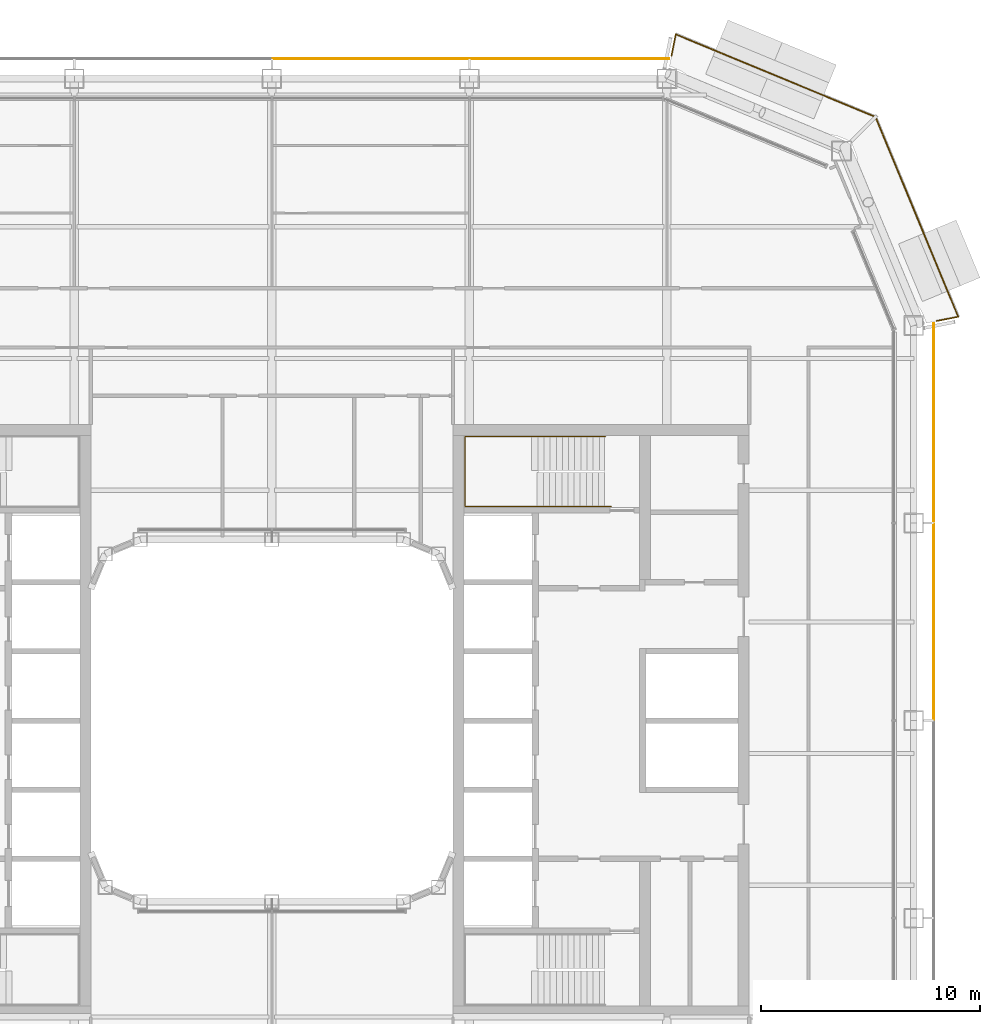
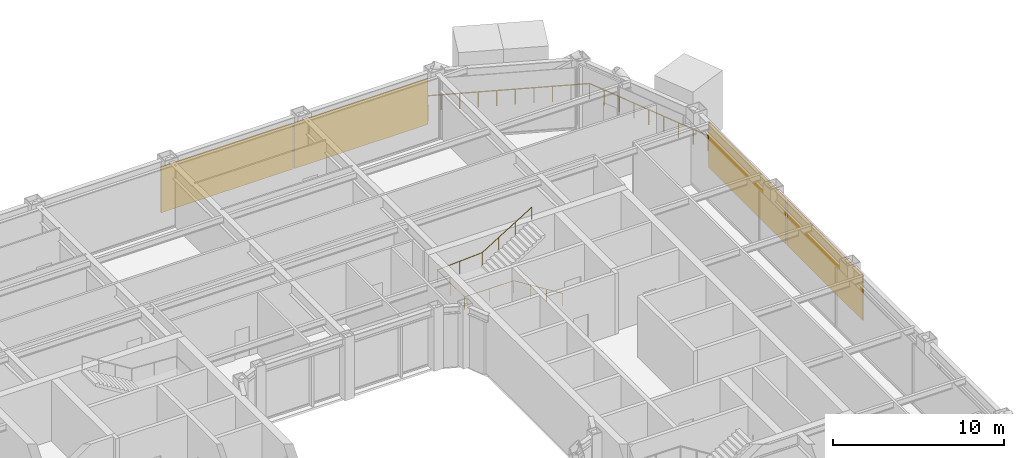
# One storey, part 23 of 24: 4 coverings, 2 railings.
"""IFC4 building model written with IfcOpenShell, lengths in metres."""

import ifcopenshell
import ifcopenshell.guid

model = None  # the IFC model being written
_history = None  # IfcOwnerHistory: only IFC2X3 demands one
_inside = {}  # id of a spatial element -> (the spatial element, [elements in it])
_under = {}  # id of a project, library or spatial element -> (it, [spatial elements below it])
_declared = {}  # id of a project -> (the project, [libraries it declares])
_typed = {}  # id of a type object -> (the type object, [elements of that type])
_made_of = {}  # id of a material, layer set ... -> (it, [elements and type objects made of it])


def new_model(schema):
    """Start an empty IFC model of exactly this schema.

    Asked for "IFC4X3", IfcOpenShell would pick the latest addendum, in which some entities
    have other attributes; the version numbers below select the first issue.
    IFC2X3 requires an IfcOwnerHistory on every rooted entity: one is made here for all.
    """
    global model, _history
    if schema == "IFC4X3":
        model = ifcopenshell.file(schema_version=(4, 3, 0, 0))
    else:
        model = ifcopenshell.file(schema=schema)
    _inside.clear()
    _under.clear()
    _declared.clear()
    _typed.clear()
    _made_of.clear()
    _history = None
    if model.schema == "IFC2X3":
        org = make("IfcOrganization", Name="unknown")
        user = make(
            "IfcPersonAndOrganization",
            ThePerson=make("IfcPerson", FamilyName="unknown"),
            TheOrganization=org,
        )
        app = make(
            "IfcApplication",
            ApplicationDeveloper=org,
            Version="unknown",
            ApplicationFullName="unknown",
            ApplicationIdentifier="unknown",
        )
        _history = make(
            "IfcOwnerHistory",
            OwningUser=user,
            OwningApplication=app,
            ChangeAction="ADDED",
            CreationDate=0,
        )
    return model


def make(cls, **values):
    """One entity of the class cls with the attributes given. An attribute that is None is left unset."""
    return model.create_entity(
        cls, **{name: value for name, value in values.items() if value is not None}
    )


def rooted(cls, **values):
    """An entity with a GlobalId (a new one), such as an element, a storey or a relation."""
    return make(cls, GlobalId=ifcopenshell.guid.new(), OwnerHistory=_history, **values)


def si_unit(unit_type, name, prefix=None):
    """IfcSIUnit, for example si_unit("LENGTHUNIT", "METRE", prefix="MILLI")."""
    return make("IfcSIUnit", UnitType=unit_type, Prefix=prefix, Name=name)


def assignment(units):
    """IfcUnitAssignment: the units of a project."""
    return None if units is None else make("IfcUnitAssignment", Units=units)


def point(xyz):
    """IfcCartesianPoint."""
    return None if xyz is None else make("IfcCartesianPoint", Coordinates=xyz)


def direction(xyz):
    """IfcDirection."""
    return None if xyz is None else make("IfcDirection", DirectionRatios=xyz)


def frame(location, z_axis=None, x_axis=None):
    """IfcAxis2Placement3D, a coordinate frame: its origin and axes. An axis left out is left unset."""
    return make(
        "IfcAxis2Placement3D",
        Location=point(location),
        Axis=direction(z_axis),
        RefDirection=direction(x_axis),
    )


def frame_2d(location, x_axis=None):
    """IfcAxis2Placement2D, a coordinate frame in the plane: its origin and x axis."""
    return make(
        "IfcAxis2Placement2D", Location=point(location), RefDirection=direction(x_axis)
    )


def origin():
    """The frame at (0, 0, 0) with its axes left unset."""
    return frame((0.0, 0.0, 0.0))


def origin_2d():
    """The frame at (0, 0) in the plane with its x axis left unset."""
    return frame_2d((0.0, 0.0))


def place(relative_to, where):
    """IfcLocalPlacement: puts the frame where relative to a parent placement (None: the world)."""
    return make(
        "IfcLocalPlacement", PlacementRelTo=relative_to, RelativePlacement=where
    )


def context(
    kind, dimensions, precision=None, world=None, true_north=None, identifier=None
):
    """IfcGeometricRepresentationContext, for example the 3D "Model" context."""
    return make(
        "IfcGeometricRepresentationContext",
        ContextIdentifier=identifier,
        ContextType=kind,
        CoordinateSpaceDimension=dimensions,
        Precision=precision,
        WorldCoordinateSystem=world,
        TrueNorth=true_north,
    )


def subcontext(parent, identifier, kind, view, scale=None):
    """IfcGeometricRepresentationSubContext, for example "Body" below "Model"."""
    return make(
        "IfcGeometricRepresentationSubContext",
        ContextIdentifier=identifier,
        ContextType=kind,
        ParentContext=parent,
        TargetScale=scale,
        TargetView=view,
    )


def project(units=None, contexts=None):
    """IfcProject with its units and contexts."""
    return rooted(
        "IfcProject",
        Name="project",
        RepresentationContexts=contexts,
        UnitsInContext=assignment(units),
    )


def spatial(cls, under=None, at=None, **own):
    """A site, building, storey or space (cls), placed at a placement, below another one or the project."""
    s = rooted(cls, ObjectPlacement=at, **own)
    if under is not None:
        _under.setdefault(under.id(), (under, []))[1].append(s)
    return s


def profile(cls, at=None, kind="AREA", **sizes):
    """A parametric profile (cls). Its sizes go by their IFC names, for example OverallWidth=200.0."""
    return make(cls, ProfileType=kind, Position=at, **sizes)


def rectangle(**sizes):
    """IfcRectangleProfileDef."""
    return profile("IfcRectangleProfileDef", **sizes)


def circle(**sizes):
    """IfcCircleProfileDef."""
    return profile("IfcCircleProfileDef", **sizes)


def extrude(swept, where, along, depth):
    """IfcExtrudedAreaSolid: the profile swept, set in the frame where, extruded along a direction by depth."""
    return make(
        "IfcExtrudedAreaSolid",
        SweptArea=swept,
        Position=where,
        ExtrudedDirection=direction(along),
        Depth=depth,
    )


def shape(context_of_items, identifier, shape_type, items):
    """IfcShapeRepresentation: the items that make up one representation, for example the "Body"."""
    return make(
        "IfcShapeRepresentation",
        ContextOfItems=context_of_items,
        RepresentationIdentifier=identifier,
        RepresentationType=shape_type,
        Items=items,
    )


def material(Name=None, Category=None):
    """IfcMaterial."""
    return make("IfcMaterial", Name=Name, Category=Category)


def layer(
    of_material, thickness, ventilated=None, Name=None, Category=None, Priority=None
):
    """IfcMaterialLayer: one layer of a wall or slab, of a material (None: an air gap)."""
    return make(
        "IfcMaterialLayer",
        Material=of_material,
        LayerThickness=thickness,
        IsVentilated=ventilated,
        Name=Name,
        Category=Category,
        Priority=Priority,
    )


def layer_set(layers, Name=None):
    """IfcMaterialLayerSet."""
    return make("IfcMaterialLayerSet", MaterialLayers=layers, LayerSetName=Name)


def made_of(thing, what):
    """Note that an element or type object is made of a material, layer set ...; save() writes the relation."""
    if what is not None:
        _made_of.setdefault(what.id(), (what, []))[1].append(thing)
    return thing


def type_object(cls, material=None, **own):
    """A type object (cls), such as IfcWallType, which elements share."""
    return made_of(rooted(cls, **own), material)


def element(
    cls,
    number,
    at=None,
    inside=None,
    cuts=None,
    type_object=None,
    material=None,
    context=None,
    identifier="Body",
    shape_type=None,
    held_by="IfcProductDefinitionShape",
    body=None,
    shapes=None,
    **own,
):
    """One element of the class cls, such as IfcWall. Its Tag is "e" and its number.

    at: its placement. inside: the storey or other place that contains it. cuts: it is an
    opening in that element (IfcRelVoidsElement). A single representation is given by context,
    identifier, shape_type and body (its items); several are given by shapes. held_by: the class
    of the entity that holds the representations. save() writes the other relations.
    """
    e = rooted(cls, Tag="e%d" % number, ObjectPlacement=at, **own)
    if body is not None:
        shapes = [shape(context, identifier, shape_type, body)]
    if shapes is not None:
        e.Representation = make(held_by, Representations=shapes)
    if inside is not None:
        _inside.setdefault(inside.id(), (inside, []))[1].append(e)
    if cuts is not None:
        rooted(
            "IfcRelVoidsElement", RelatingBuildingElement=cuts, RelatedOpeningElement=e
        )
    if type_object is not None:
        _typed.setdefault(type_object.id(), (type_object, []))[1].append(e)
    return made_of(e, material)


def aggregate(whole, parts):
    """IfcRelAggregates: a whole, such as a stair, and the parts it consists of."""
    return rooted("IfcRelAggregates", RelatingObject=whole, RelatedObjects=parts)


def save(model, path):
    """Write the relations noted so far, then the file.

    IfcRelAggregates (storeys below a building ...), IfcRelContainedInSpatialStructure (elements
    in a storey), IfcRelDefinesByType, IfcRelAssociatesMaterial and IfcRelDeclares: one each for
    every whole, place, type object, material and project.
    """
    for whole, parts in _under.values():
        aggregate(whole, parts)
    for where, things in _inside.values():
        rooted(
            "IfcRelContainedInSpatialStructure",
            RelatedElements=things,
            RelatingStructure=where,
        )
    for kind, things in _typed.values():
        rooted("IfcRelDefinesByType", RelatedObjects=things, RelatingType=kind)
    for what, things in _made_of.values():
        rooted("IfcRelAssociatesMaterial", RelatedObjects=things, RelatingMaterial=what)
    for by, libraries in _declared.values():
        rooted("IfcRelDeclares", RelatingContext=by, RelatedDefinitions=libraries)
    model.write(path)


model = new_model("IFC4")

# Units and contexts
model_context = context("Model", 3, precision=1e-05, world=origin(), true_north=direction((0.0, 1.0)))
body_context = subcontext(model_context, "Body", "Model", "MODEL_VIEW")
ifc_project = project(units=[si_unit("LENGTHUNIT", "METRE"), si_unit("AREAUNIT", "SQUARE_METRE"), si_unit("VOLUMEUNIT", "CUBIC_METRE"), si_unit("PLANEANGLEUNIT", "RADIAN"), si_unit("MASSUNIT", "GRAM", prefix="KILO")], contexts=[model_context])

# Site, building, storey
site_placement = place(None, origin())
site = spatial("IfcSite", under=ifc_project, at=site_placement, CompositionType="ELEMENT")
building_placement = place(site_placement, origin())
building = spatial("IfcBuilding", under=site, at=building_placement, Name="Siwar Civic Tower", CompositionType="ELEMENT")
storey_placement = place(building_placement, frame((0.0, 0.0, 149.699951171875)))
storey = spatial("IfcBuildingStorey", under=building, at=storey_placement, Name="L32", CompositionType="ELEMENT", Elevation=149.699951171875)

# Railings
ifc_material_1 = material(Name="Stainless steel", Category="steel")
railing_type_1 = type_object("IfcRailingType", Name="CORE-STAIR-HANDRAIL", PredefinedType="HANDRAIL", material=ifc_material_1)
railing_1_placement = place(storey_placement, frame((15.449951171875, 9.758056640625, 0.173095703125)))
element("IfcRailing", 1, at=railing_1_placement, inside=storey, type_object=railing_type_1, Name="Stair handrail ST3", PredefinedType="HANDRAIL", context=body_context, shape_type="SweptSolid", body=[
    extrude(circle(Radius=0.02001953125, at=origin_2d()), frame((0.0, 0.0, 0.8798828125), z_axis=(-0.847063342986, 0.0, 0.531491950051), x_axis=(0.0, -1.0, 0.0)), (0.0, 0.0, 1.0), 3.90771484375),
    extrude(circle(Radius=0.02001953125, at=origin_2d()), frame((-3.31005859375, 0.0, 2.956787109375), z_axis=(-1.0, 0.0, 0.0), x_axis=(0.0, -1.0, 0.0)), (0.0, 0.0, 1.0), 3.331787109375),
    extrude(circle(Radius=0.02001953125, at=origin_2d()), frame((-6.641845703125, 0.0, 2.956787109375), z_axis=(0.0, 1.0, 0.0), x_axis=(-1.0, 0.0, 0.0)), (0.0, 0.0, 1.0), 3.183837890625),
    extrude(circle(Radius=0.02001953125, at=origin_2d()), frame((-6.641845703125, 3.183837890625, 2.956787109375), z_axis=(0.99837434197, 0.0, 0.056997134106), x_axis=(0.0, 1.0, 0.0)), (0.0, 0.0, 1.0), 3.036865234375),
    extrude(circle(Radius=0.02001953125, at=origin_2d()), frame((-3.60986328125, 3.183837890625, 3.1298828125), z_axis=(0.850606129759, 0.0, 0.525803396734), x_axis=(0.0, 1.0, 0.0)), (0.0, 0.0, 1.0), 3.949951171875),
    extrude(circle(Radius=0.02001953125, at=origin_2d()), origin(), (0.0, 0.0, 1.0), 0.85986328125),
    extrude(circle(Radius=0.02001953125, at=origin_2d()), frame((-1.103271484375, 0.0, 0.6923828125)), (0.0, 0.0, 1.0), 0.85986328125),
    extrude(circle(Radius=0.02001953125, at=origin_2d()), frame((-2.206787109375, 0.0, 1.384521484375)), (0.0, 0.0, 1.0), 0.85986328125),
    extrude(circle(Radius=0.02001953125, at=origin_2d()), frame((-3.31005859375, 0.0, 2.076904296875)), (0.0, 0.0, 1.0), 0.85986328125),
    extrude(circle(Radius=0.02001953125, at=origin_2d()), frame((-4.97607421875, 0.0, 2.076904296875)), (0.0, 0.0, 1.0), 0.85986328125),
    extrude(circle(Radius=0.02001953125, at=origin_2d()), frame((-6.641845703125, 0.0, 2.076904296875)), (0.0, 0.0, 1.0), 0.85986328125),
    extrude(circle(Radius=0.02001953125, at=origin_2d()), frame((-6.641845703125, 1.591796875, 2.076904296875)), (0.0, 0.0, 1.0), 0.85986328125),
    extrude(circle(Radius=0.02001953125, at=origin_2d()), frame((-6.641845703125, 3.183837890625, 2.076904296875)), (0.0, 0.0, 1.0), 0.85986328125),
    extrude(circle(Radius=0.02001953125, at=origin_2d()), frame((-5.1259765625, 3.183837890625, 2.16357421875)), (0.0, 0.0, 1.0), 0.85986328125),
    extrude(circle(Radius=0.02001953125, at=origin_2d()), frame((-3.60986328125, 3.183837890625, 2.25)), (0.0, 0.0, 1.0), 0.85986328125),
    extrude(circle(Radius=0.02001953125, at=origin_2d()), frame((-2.489990234375, 3.183837890625, 2.9423828125)), (0.0, 0.0, 1.0), 0.85986328125),
    extrude(circle(Radius=0.02001953125, at=origin_2d()), frame((-1.369873046875, 3.183837890625, 3.634521484375)), (0.0, 0.0, 1.0), 0.85986328125),
    extrude(circle(Radius=0.02001953125, at=origin_2d()), frame((-0.25, 3.183837890625, 4.326904296875)), (0.0, 0.0, 1.0), 0.85986328125),
])
ifc_material_2 = material(Name="Stainless steel 316", Category="steel")
railing_type_2 = type_object("IfcRailingType", Name="ENV-GUARD", PredefinedType="GUARDRAIL", material=ifc_material_2)
railing_2_placement = place(storey_placement, frame((30.297119140625, 18.208251953125, 0.0)))
element("IfcRailing", 2, at=railing_2_placement, inside=storey, type_object=railing_type_2, Name="Balcony guard NE", PredefinedType="GUARDRAIL", context=body_context, shape_type="SweptSolid", body=[
    extrude(circle(Radius=0.02392578125, at=origin_2d()), frame((0.0, 0.0, 1.076171875), z_axis=(0.980778661911, 0.195123592472, 0.0), x_axis=(-0.195123592472, 0.980778661911, 0.0)), (0.0, 0.0, 1.0), 0.993408203125),
    extrude(circle(Radius=0.02392578125, at=origin_2d()), frame((0.974365234375, 0.19384765625, 1.076171875), z_axis=(-0.38225621169, 0.924056377406, 0.0), x_axis=(-0.924056377406, -0.38225621169, 0.0)), (0.0, 0.0, 1.0), 9.851806640625),
    extrude(circle(Radius=0.02392578125, at=origin_2d()), frame((-2.79150390625, 9.29736328125, 1.076171875), z_axis=(-0.924056377406, 0.38225621169, 0.0), x_axis=(-0.38225621169, -0.924056377406, 0.0)), (0.0, 0.0, 1.0), 9.851806640625),
    extrude(circle(Radius=0.02392578125, at=origin_2d()), frame((-11.89501953125, 13.063232421875, 1.076171875), z_axis=(-0.195123592472, -0.980778661911, 0.0), x_axis=(0.980778661911, -0.195123592472, 0.0)), (0.0, 0.0, 1.0), 0.993408203125),
    extrude(circle(Radius=0.02099609375, at=origin_2d()), origin(), (0.0, 0.0, 1.0), 1.052001953125),
    extrude(circle(Radius=0.02099609375, at=origin_2d()), frame((0.974365234375, 0.19384765625, 0.0)), (0.0, 0.0, 1.0), 1.052001953125),
    extrude(circle(Radius=0.02099609375, at=origin_2d()), frame((0.555908203125, 1.205322265625, 0.0)), (0.0, 0.0, 1.0), 1.052001953125),
    extrude(circle(Radius=0.02099609375, at=origin_2d()), frame((0.137451171875, 2.216796875, 0.0)), (0.0, 0.0, 1.0), 1.052001953125),
    extrude(circle(Radius=0.02099609375, at=origin_2d()), frame((-0.281005859375, 3.228271484375, 0.0)), (0.0, 0.0, 1.0), 1.052001953125),
    extrude(circle(Radius=0.02099609375, at=origin_2d()), frame((-0.699462890625, 4.23974609375, 0.0)), (0.0, 0.0, 1.0), 1.052001953125),
    extrude(circle(Radius=0.02099609375, at=origin_2d()), frame((-1.11767578125, 5.25146484375, 0.0)), (0.0, 0.0, 1.0), 1.052001953125),
    extrude(circle(Radius=0.02099609375, at=origin_2d()), frame((-1.5361328125, 6.262939453125, 0.0)), (0.0, 0.0, 1.0), 1.052001953125),
    extrude(circle(Radius=0.02099609375, at=origin_2d()), frame((-1.95458984375, 7.2744140625, 0.0)), (0.0, 0.0, 1.0), 1.052001953125),
    extrude(circle(Radius=0.02099609375, at=origin_2d()), frame((-2.373046875, 8.285888671875, 0.0)), (0.0, 0.0, 1.0), 1.052001953125),
    extrude(circle(Radius=0.02099609375, at=origin_2d()), frame((-2.79150390625, 9.29736328125, 0.0)), (0.0, 0.0, 1.0), 1.052001953125),
    extrude(circle(Radius=0.02099609375, at=origin_2d()), frame((-3.802978515625, 9.7158203125, 0.0)), (0.0, 0.0, 1.0), 1.052001953125),
    extrude(circle(Radius=0.02099609375, at=origin_2d()), frame((-4.814453125, 10.13427734375, 0.0)), (0.0, 0.0, 1.0), 1.052001953125),
    extrude(circle(Radius=0.02099609375, at=origin_2d()), frame((-5.825927734375, 10.552734375, 0.0)), (0.0, 0.0, 1.0), 1.052001953125),
    extrude(circle(Radius=0.02099609375, at=origin_2d()), frame((-6.83740234375, 10.97119140625, 0.0)), (0.0, 0.0, 1.0), 1.052001953125),
    extrude(circle(Radius=0.02099609375, at=origin_2d()), frame((-7.84912109375, 11.389404296875, 0.0)), (0.0, 0.0, 1.0), 1.052001953125),
    extrude(circle(Radius=0.02099609375, at=origin_2d()), frame((-8.860595703125, 11.807861328125, 0.0)), (0.0, 0.0, 1.0), 1.052001953125),
    extrude(circle(Radius=0.02099609375, at=origin_2d()), frame((-9.8720703125, 12.226318359375, 0.0)), (0.0, 0.0, 1.0), 1.052001953125),
    extrude(circle(Radius=0.02099609375, at=origin_2d()), frame((-10.883544921875, 12.644775390625, 0.0)), (0.0, 0.0, 1.0), 1.052001953125),
    extrude(circle(Radius=0.02099609375, at=origin_2d()), frame((-11.89501953125, 13.063232421875, 0.0)), (0.0, 0.0, 1.0), 1.052001953125),
    extrude(circle(Radius=0.02099609375, at=origin_2d()), frame((-12.0888671875, 12.0888671875, 0.0)), (0.0, 0.0, 1.0), 1.052001953125),
])

# Coverings
ifc_material_3 = material(Name="Perforated aluminium cassette, pale metal", Category="aluminium")
ifc_layer = layer(ifc_material_3, 0.0400390625)
ifc_layer_set = layer_set([ifc_layer], Name="Perforated aluminium cassette, pale metal")
covering_type = type_object("IfcCoveringType", Name="ENV-OUTER SKIN OS-1", PredefinedType="CLADDING", material=ifc_layer_set)
covering_1_placement = place(storey_placement, frame((30.14990234375, 4.5, -0.14990234375), z_axis=(0.0, 0.0, 1.0), x_axis=(0.0, 1.0, 0.0)))
element("IfcCovering", 3, at=covering_1_placement, inside=storey, type_object=covering_type, Name="OUTER SKIN OS-1 E 3", PredefinedType="CLADDING", context=body_context, shape_type="SweptSolid", body=[
    extrude(rectangle(XDim=8.89990234375, YDim=0.0400390625, at=origin_2d()), origin(), (0.0, 0.0, 1.0), 3.300048828125),
])
for number, where, z_axis, x_axis, name in (
    (4, (30.14990234375, 13.57958984375, -0.14990234375), (0.0, 0.0, 1.0), (0.0, 1.0, 0.0), "OUTER SKIN OS-1 E 4"),
    (5, (13.57958984375, 30.14990234375, -0.14990234375), (0.0, 0.0, 1.0), (-1.0, 0.0, 0.0), "OUTER SKIN OS-1 N 1"),
):
    element("IfcCovering", number, at=place(storey_placement, frame(where, z_axis=z_axis, x_axis=x_axis)), inside=storey, type_object=covering_type, Name=name, PredefinedType="CLADDING", context=body_context, shape_type="SweptSolid", body=[
        extrude(rectangle(XDim=9.05908203125, YDim=0.0400390625, at=origin_2d()), origin(), (0.0, 0.0, 1.0), 3.300048828125),
    ])
covering_2_placement = place(storey_placement, frame((4.5, 30.14990234375, -0.14990234375), z_axis=(0.0, 0.0, 1.0), x_axis=(-1.0, 0.0, 0.0)))
element("IfcCovering", 6, at=covering_2_placement, inside=storey, type_object=covering_type, Name="OUTER SKIN OS-1 N 2", PredefinedType="CLADDING", context=body_context, shape_type="SweptSolid", body=[
    extrude(rectangle(XDim=8.89990234375, YDim=0.0400390625, at=origin_2d()), origin(), (0.0, 0.0, 1.0), 3.300048828125),
])

save(model, "model.ifc")
